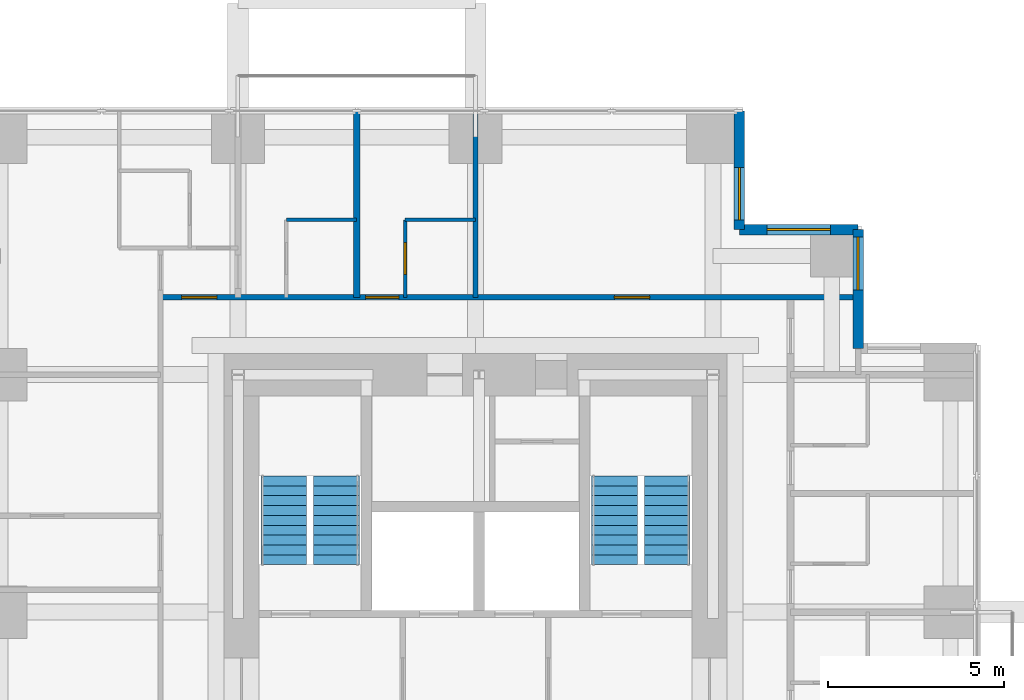
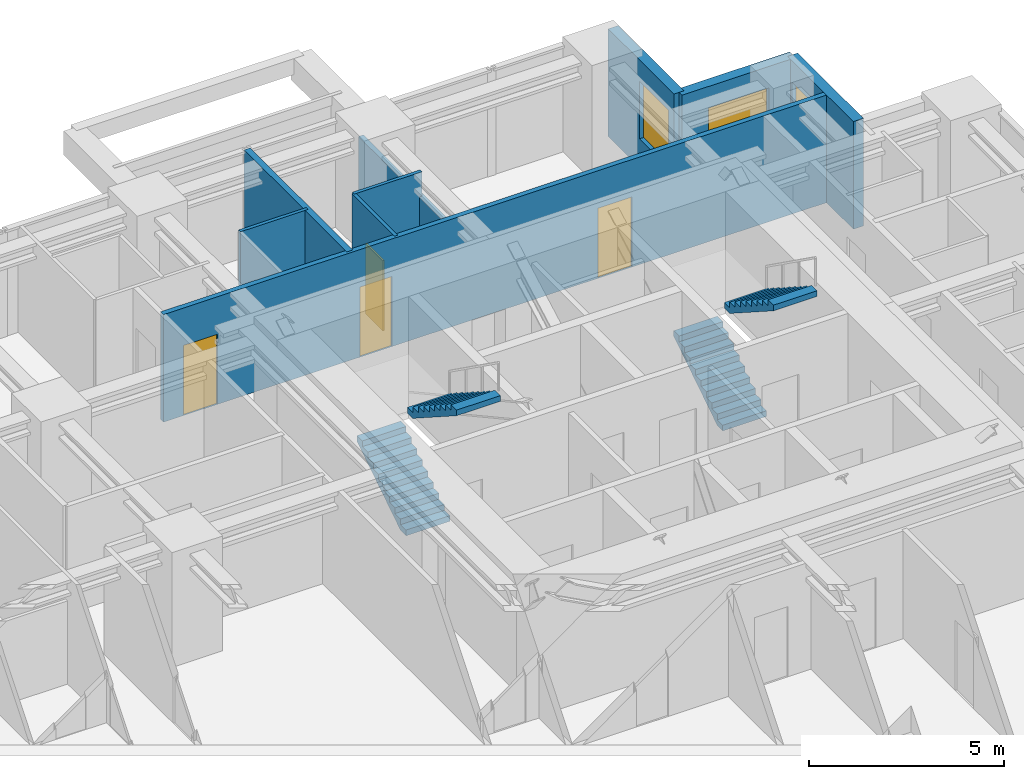
# One storey, part 9 of 10: 9 walls, 4 doors, 4 stair flights, 3 windows, 7 openings, 2 elements without a shape of their own.
"""IFC4 building model written with IfcOpenShell, lengths in metres."""

from ifc_helpers import new_model, si_unit, direction, frame, frame_2d, origin, place, context, subcontext, project, spatial, polyline, rectangle, outline, extrude, material, layer, layer_set, type_object, element, fill, aggregate, save


model = new_model("IFC4")

# Units and contexts
model_context = context("Model", 3, precision=1e-05, world=origin(), true_north=direction((0.0, 1.0)))
body_context = subcontext(model_context, "Body", "Model", "MODEL_VIEW")
ifc_project = project(units=[si_unit("LENGTHUNIT", "METRE"), si_unit("AREAUNIT", "SQUARE_METRE"), si_unit("VOLUMEUNIT", "CUBIC_METRE"), si_unit("PLANEANGLEUNIT", "RADIAN"), si_unit("MASSUNIT", "GRAM", prefix="KILO")], contexts=[model_context])

# Site, building, storey
site_placement = place(None, origin())
site = spatial("IfcSite", under=ifc_project, at=site_placement, CompositionType="ELEMENT")
building_placement = place(site_placement, origin())
building = spatial("IfcBuilding", under=site, at=building_placement, Name="Nyansa Garden Tower", CompositionType="ELEMENT")
storey_placement = place(building_placement, frame((0.0, 0.0, 167.39990234375)))
storey = spatial("IfcBuildingStorey", under=building, at=storey_placement, Name="L45", CompositionType="ELEMENT", Elevation=167.39990234375)

# Wall
ifc_material_1 = material(Name="Dense blockwork, plastered both sides, 55 dB", Category="masonry")
ifc_layer_1 = layer(ifc_material_1, 0.175048828125)
ifc_layer_set_1 = layer_set([ifc_layer_1], Name="Acoustic party wall PW175")
wall_type_1 = type_object("IfcWallType", Name="Acoustic party wall PW175", PredefinedType="PARTITIONING", material=ifc_layer_set_1)
wall_1_placement = place(storey_placement, frame((16.875, 29.199951171875, 0.0), z_axis=(0.0, 0.0, 1.0), x_axis=(0.0, 1.0, 0.0)))
element("IfcWall", 1, at=wall_1_placement, inside=storey, type_object=wall_type_1, Name="Party wall", PredefinedType="PARTITIONING", context=body_context, shape_type="SweptSolid", body=[
    extrude(rectangle(XDim=5.283935546875, YDim=0.175048828125, at=frame_2d((2.64208984375, 0.0))), origin(), (0.0, 0.0, 1.0), 3.375),
])

# Wall, openings, doors
ifc_material_2 = material(Name="Blockwork, plastered both sides", Category="masonry")
ifc_layer_2 = layer(ifc_material_2, 0.14990234375)
ifc_layer_set_2 = layer_set([ifc_layer_2], Name="Partition PW150")
wall_type_2 = type_object("IfcWallType", Name="Partition PW150", PredefinedType="PARTITIONING", material=ifc_layer_set_2)
wall_2_placement = place(storey_placement, frame((11.300048828125, 29.199951171875, 0.0), z_axis=(0.0, 0.0, 1.0), x_axis=(1.0, 0.0, 0.0)))
wall_2 = element("IfcWall", 2, at=wall_2_placement, inside=storey, type_object=wall_type_2, Name="Partition", PredefinedType="PARTITIONING", context=body_context, shape_type="SweptSolid", body=[
    extrude(rectangle(XDim=19.808837890625, YDim=0.14990234375, at=frame_2d((9.904296875, 0.0))), origin(), (0.0, 0.0, 1.0), 3.375),
])
opening_1_placement = place(wall_2_placement, frame((12.89990234375, 0.0, 0.0)))
opening_1 = element("IfcOpeningElement", 3, at=opening_1_placement, cuts=wall_2, Name="Opening D03", PredefinedType="OPENING", context=body_context, shape_type="SweptSolid", body=[
    extrude(rectangle(XDim=1.0, YDim=2.199951171875, at=frame_2d((0.5, 1.10009765625))), frame((0.0, 0.0849609375, 0.0), z_axis=(0.0, -1.0, 0.0), x_axis=(1.0, 0.0, 0.0)), (0.0, 0.0, 1.0), 0.169921875),
])
opening_2_placement = place(wall_2_placement, frame((5.824951171875, 0.0, 0.0)))
opening_2 = element("IfcOpeningElement", 4, at=opening_2_placement, cuts=wall_2, Name="Opening D14", PredefinedType="OPENING", context=body_context, shape_type="SweptSolid", body=[
    extrude(rectangle(XDim=0.949951171875, YDim=2.199951171875, at=frame_2d((0.47509765625, 1.10009765625))), frame((0.0, 0.0849609375, 0.0), z_axis=(0.0, -1.0, 0.0), x_axis=(1.0, 0.0, 0.0)), (0.0, 0.0, 1.0), 0.169921875),
])
opening_3_placement = place(wall_2_placement, frame((0.60009765625, 0.0, 0.0)))
opening_3 = element("IfcOpeningElement", 5, at=opening_3_placement, cuts=wall_2, Name="Opening D03", PredefinedType="OPENING", context=body_context, shape_type="SweptSolid", body=[
    extrude(rectangle(XDim=1.0, YDim=2.199951171875, at=frame_2d((0.5, 1.10009765625))), frame((0.0, 0.0849609375, 0.0), z_axis=(0.0, -1.0, 0.0), x_axis=(1.0, 0.0, 0.0)), (0.0, 0.0, 1.0), 0.169921875),
])
ifc_material_3 = material(Name="Timber flush door, 60 minute fire resisting", Category="wood")
door_type_1 = type_object("IfcDoorType", Name="Cluster entrance door D03 1000x2200", OperationType="SINGLE_SWING_LEFT", PredefinedType="DOOR", material=ifc_material_3)
door_1_placement = place(opening_1_placement, origin())
door_1 = element("IfcDoor", 6, at=door_1_placement, inside=storey, type_object=door_type_1, Name="Door L45-037", OperationType="SINGLE_SWING_LEFT", OverallHeight=2.199951171875, OverallWidth=1.0, PredefinedType="DOOR", context=body_context, shape_type="SweptSolid", body=[
    extrude(rectangle(XDim=1.0, YDim=2.199951171875, at=frame_2d((0.5, 1.10009765625))), frame((0.0, 0.02490234375, 0.0), z_axis=(0.0, -1.0, 0.0), x_axis=(1.0, 0.0, 0.0)), (0.0, 0.0, 1.0), 0.050048828125),
])
fill(opening_1, door_1)
door_2_placement = place(opening_3_placement, origin())
door_2 = element("IfcDoor", 7, at=door_2_placement, inside=storey, type_object=door_type_1, Name="Door L45-044", OperationType="SINGLE_SWING_LEFT", OverallHeight=2.199951171875, OverallWidth=1.0, PredefinedType="DOOR", context=body_context, shape_type="SweptSolid", body=[
    extrude(rectangle(XDim=1.0, YDim=2.199951171875, at=frame_2d((0.5, 1.10009765625))), frame((0.0, 0.02490234375, 0.0), z_axis=(0.0, -1.0, 0.0), x_axis=(1.0, 0.0, 0.0)), (0.0, 0.0, 1.0), 0.050048828125),
])
fill(opening_3, door_2)
ifc_material_4 = material(Name="Timber flush door, 60 minute fire resisting, self-closing", Category="wood")
door_type_2 = type_object("IfcDoorType", Name="Studio entrance door D14 950x2200", OperationType="SINGLE_SWING_LEFT", PredefinedType="DOOR", material=ifc_material_4)
door_3_placement = place(opening_2_placement, origin())
door_3 = element("IfcDoor", 8, at=door_3_placement, inside=storey, type_object=door_type_2, Name="Door L45-042", OperationType="SINGLE_SWING_LEFT", OverallHeight=2.199951171875, OverallWidth=0.949951171875, PredefinedType="DOOR", context=body_context, shape_type="SweptSolid", body=[
    extrude(rectangle(XDim=0.949951171875, YDim=2.199951171875, at=frame_2d((0.47509765625, 1.10009765625))), frame((0.0, 0.02490234375, 0.0), z_axis=(0.0, -1.0, 0.0), x_axis=(1.0, 0.0, 0.0)), (0.0, 0.0, 1.0), 0.050048828125),
])
fill(opening_2, door_3)

# Wall
wall_3_placement = place(storey_placement, frame((20.25, 29.199951171875, 0.0), z_axis=(0.0, 0.0, 1.0), x_axis=(0.0, 1.0, 0.0)))
element("IfcWall", 9, at=wall_3_placement, inside=storey, type_object=wall_type_2, Name="Partition", PredefinedType="PARTITIONING", context=body_context, shape_type="SweptSolid", body=[
    extrude(rectangle(XDim=5.283935546875, YDim=0.14990234375, at=frame_2d((2.64208984375, 0.0))), origin(), (0.0, 0.0, 1.0), 2.610107421875),
])

# Wall, opening, window
ifc_material_5 = material(Name="Turquoise glazed tile on concrete blockwork", Category="masonry")
ifc_layer_3 = layer(ifc_material_5, 0.300048828125)
ifc_layer_set_3 = layer_set([ifc_layer_3], Name="Tiled corner wall TW300")
wall_type_3 = type_object("IfcWallType", Name="Tiled corner wall TW300", PredefinedType="SOLIDWALL", material=ifc_layer_set_3)
wall_4_placement = place(storey_placement, frame((31.125, 27.75, 0.0), z_axis=(0.0, 0.0, 1.0), x_axis=(0.0, 1.0, 0.0)))
wall_4 = element("IfcWall", 10, at=wall_4_placement, inside=storey, type_object=wall_type_3, Name="Tiled corner wall L45", PredefinedType="SOLIDWALL", context=body_context, shape_type="SweptSolid", body=[
    extrude(rectangle(XDim=3.375, YDim=0.300048828125, at=frame_2d((1.6875, 0.0))), origin(), (0.0, 0.0, 1.0), 3.375),
])
opening_4_placement = place(wall_4_placement, frame((1.66259765625, 0.0, 0.89990234375)))
opening_4 = element("IfcOpeningElement", 11, at=opening_4_placement, cuts=wall_4, Name="Opening W1", PredefinedType="OPENING", context=body_context, shape_type="SweptSolid", body=[
    extrude(rectangle(XDim=1.5, YDim=1.800048828125, at=frame_2d((0.75, 0.89990234375))), frame((0.0, 0.159912109375, 0.0), z_axis=(0.0, -1.0, 0.0), x_axis=(1.0, 0.0, 0.0)), (0.0, 0.0, 1.0), 0.320068359375),
])
ifc_material_6 = material(Name="Black aluminium frame, dark tinted double glazing", Category="aluminium")
window_type_1 = type_object("IfcWindowType", Name="Window W1 1500x1800", PartitioningType="SINGLE_PANEL", PredefinedType="WINDOW", material=ifc_material_6)
window_1_placement = place(opening_4_placement, origin())
window_1 = element("IfcWindow", 12, at=window_1_placement, inside=storey, type_object=window_type_1, Name="Corner window L45", OverallHeight=1.800048828125, OverallWidth=1.5, PartitioningType="SINGLE_PANEL", PredefinedType="WINDOW", context=body_context, shape_type="SweptSolid", body=[
    extrude(rectangle(XDim=1.5, YDim=1.800048828125, at=frame_2d((0.75, 0.89990234375))), frame((0.0, 0.030029296875, 0.0), z_axis=(0.0, -1.0, 0.0), x_axis=(1.0, 0.0, 0.0)), (0.0, 0.0, 1.0), 0.06005859375),
])
fill(opening_4, window_1)

wall_5_placement = place(storey_placement, frame((31.125, 31.125, 0.0), z_axis=(0.0, 0.0, 1.0), x_axis=(-1.0, 0.0, 0.0)))
wall_5 = element("IfcWall", 13, at=wall_5_placement, inside=storey, type_object=wall_type_3, Name="Tiled corner wall L45", PredefinedType="SOLIDWALL", context=body_context, shape_type="SweptSolid", body=[
    extrude(rectangle(XDim=3.375, YDim=0.300048828125, at=frame_2d((1.6875, 0.0))), origin(), (0.0, 0.0, 1.0), 3.375),
])
opening_5_placement = place(wall_5_placement, frame((0.78759765625, 0.0, 0.60009765625)))
opening_5 = element("IfcOpeningElement", 14, at=opening_5_placement, cuts=wall_5, Name="Opening W2", PredefinedType="OPENING", context=body_context, shape_type="SweptSolid", body=[
    extrude(rectangle(XDim=1.800048828125, YDim=2.10009765625, at=frame_2d((0.89990234375, 1.050048828125))), frame((0.0, 0.159912109375, 0.0), z_axis=(0.0, -1.0, 0.0), x_axis=(1.0, 0.0, 0.0)), (0.0, 0.0, 1.0), 0.320068359375),
])
ifc_material_7 = material(Name="Black aluminium frame, dark tinted double glazing", Category="aluminium")
window_type_2 = type_object("IfcWindowType", Name="Window W2 1800x2100", PartitioningType="SINGLE_PANEL", PredefinedType="WINDOW", material=ifc_material_7)
window_2_placement = place(opening_5_placement, origin())
window_2 = element("IfcWindow", 15, at=window_2_placement, inside=storey, type_object=window_type_2, Name="Corner window L45", OverallHeight=2.10009765625, OverallWidth=1.800048828125, PartitioningType="SINGLE_PANEL", PredefinedType="WINDOW", context=body_context, shape_type="SweptSolid", body=[
    extrude(rectangle(XDim=1.800048828125, YDim=2.10009765625, at=frame_2d((0.89990234375, 1.050048828125))), frame((0.0, 0.030029296875, 0.0), z_axis=(0.0, -1.0, 0.0), x_axis=(1.0, 0.0, 0.0)), (0.0, 0.0, 1.0), 0.06005859375),
])
fill(opening_5, window_2)

wall_6_placement = place(storey_placement, frame((27.75, 31.125, 0.0), z_axis=(0.0, 0.0, 1.0), x_axis=(0.0, 1.0, 0.0)))
wall_6 = element("IfcWall", 16, at=wall_6_placement, inside=storey, type_object=wall_type_3, Name="Tiled corner wall L45", PredefinedType="SOLIDWALL", context=body_context, shape_type="SweptSolid", body=[
    extrude(rectangle(XDim=3.375, YDim=0.300048828125, at=frame_2d((1.6875, 0.0))), origin(), (0.0, 0.0, 1.0), 3.375),
])
opening_6_placement = place(wall_6_placement, frame((0.267578125, 0.0, 0.89990234375)))
opening_6 = element("IfcOpeningElement", 17, at=opening_6_placement, cuts=wall_6, Name="Opening W1", PredefinedType="OPENING", context=body_context, shape_type="SweptSolid", body=[
    extrude(rectangle(XDim=1.5, YDim=1.800048828125, at=frame_2d((0.75, 0.89990234375))), frame((0.0, 0.159912109375, 0.0), z_axis=(0.0, -1.0, 0.0), x_axis=(1.0, 0.0, 0.0)), (0.0, 0.0, 1.0), 0.320068359375),
])
window_3_placement = place(opening_6_placement, origin())
window_3 = element("IfcWindow", 18, at=window_3_placement, inside=storey, type_object=window_type_1, Name="Corner window L45", OverallHeight=1.800048828125, OverallWidth=1.5, PartitioningType="SINGLE_PANEL", PredefinedType="WINDOW", context=body_context, shape_type="SweptSolid", body=[
    extrude(rectangle(XDim=1.5, YDim=1.800048828125, at=frame_2d((0.75, 0.89990234375))), frame((0.0, 0.030029296875, 0.0), z_axis=(0.0, -1.0, 0.0), x_axis=(1.0, 0.0, 0.0)), (0.0, 0.0, 1.0), 0.06005859375),
])
fill(opening_6, window_3)

# Wall
ifc_material_8 = material(Name="Moisture resistant board on steel studs, tiled", Category="steel")
ifc_layer_4 = layer(ifc_material_8, 0.10009765625)
ifc_layer_set_4 = layer_set([ifc_layer_4], Name="Wet wall PW100")
wall_type_4 = type_object("IfcWallType", Name="Wet wall PW100", PredefinedType="PARTITIONING", material=ifc_layer_set_4)
wall_7_placement = place(storey_placement, frame((14.875, 31.39990234375, 0.0), z_axis=(0.0, 0.0, 1.0), x_axis=(1.0, 0.0, 0.0)))
element("IfcWall", 19, at=wall_7_placement, inside=storey, type_object=wall_type_4, Name="Wet wall", PredefinedType="PARTITIONING", context=body_context, shape_type="SweptSolid", body=[
    extrude(rectangle(XDim=2.0, YDim=0.10009765625, at=frame_2d((1.0, 0.0))), origin(), (0.0, 0.0, 1.0), 3.375),
])

# Wall, opening, door
wall_8_placement = place(storey_placement, frame((18.25, 29.199951171875, 0.0), z_axis=(0.0, 0.0, 1.0), x_axis=(0.0, 1.0, 0.0)))
wall_8 = element("IfcWall", 20, at=wall_8_placement, inside=storey, type_object=wall_type_4, Name="Wet wall", PredefinedType="PARTITIONING", context=body_context, shape_type="SweptSolid", body=[
    extrude(rectangle(XDim=2.199951171875, YDim=0.10009765625, at=frame_2d((1.10009765625, 0.0))), origin(), (0.0, 0.0, 1.0), 3.375),
])
opening_7_placement = place(wall_8_placement, frame((0.64990234375, 0.0, 0.0)))
opening_7 = element("IfcOpeningElement", 21, at=opening_7_placement, cuts=wall_8, Name="Opening D02", PredefinedType="OPENING", context=body_context, shape_type="SweptSolid", body=[
    extrude(rectangle(XDim=0.89990234375, YDim=2.199951171875, at=frame_2d((0.449951171875, 1.10009765625))), frame((0.0, 0.06005859375, 0.0), z_axis=(0.0, -1.0, 0.0), x_axis=(1.0, 0.0, 0.0)), (0.0, 0.0, 1.0), 0.1201171875),
])
ifc_material_9 = material(Name="Timber flush door", Category="wood")
door_type_3 = type_object("IfcDoorType", Name="En-suite door D02 900x2200", OperationType="SINGLE_SWING_RIGHT", PredefinedType="DOOR", material=ifc_material_9)
door_4_placement = place(opening_7_placement, origin())
door_4 = element("IfcDoor", 22, at=door_4_placement, inside=storey, type_object=door_type_3, Name="Door L45-043", OperationType="SINGLE_SWING_RIGHT", OverallHeight=2.199951171875, OverallWidth=0.89990234375, PredefinedType="DOOR", context=body_context, shape_type="SweptSolid", body=[
    extrude(rectangle(XDim=0.89990234375, YDim=2.199951171875, at=frame_2d((0.449951171875, 1.10009765625))), frame((0.0, 0.02490234375, 0.0), z_axis=(0.0, -1.0, 0.0), x_axis=(1.0, 0.0, 0.0)), (0.0, 0.0, 1.0), 0.050048828125),
])
fill(opening_7, door_4)

# Wall
wall_9_placement = place(storey_placement, frame((18.25, 31.39990234375, 0.0), z_axis=(0.0, 0.0, 1.0), x_axis=(1.0, 0.0, 0.0)))
element("IfcWall", 23, at=wall_9_placement, inside=storey, type_object=wall_type_4, Name="Wet wall", PredefinedType="PARTITIONING", context=body_context, shape_type="SweptSolid", body=[
    extrude(rectangle(XDim=2.0, YDim=0.10009765625, at=frame_2d((1.0, 0.0))), origin(), (0.0, 0.0, 1.0), 3.375),
])

# Stair, stair flights
ifc_material_10 = material(Name="Precast concrete C40/50", Category="concrete")
stair_type_1 = type_object("IfcStairType", Name="Stair S1 180x280", PredefinedType="HALF_TURN_STAIR", material=ifc_material_10)
stair_1_placement = place(storey_placement, origin())
stair_1 = element("IfcStair", 24, at=stair_1_placement, inside=storey, type_object=stair_type_1, Name="Stair S1 L45", PredefinedType="HALF_TURN_STAIR")
ifc_material_11 = material(Name="Precast concrete C40/50", Category="concrete")
stair_flight_type_1 = type_object("IfcStairFlightType", Name="Stair flight S1 180x280x10", PredefinedType="STRAIGHT", material=ifc_material_11)
stair_flight_1_placement = place(storey_placement, frame((14.800048828125, 21.60009765625, 0.0), z_axis=(0.0, 0.0, 1.0), x_axis=(0.0, 1.0, 0.0)))
stair_flight_1 = element("IfcStairFlight", 25, at=stair_flight_1_placement, type_object=stair_flight_type_1, Name="S1 flight 1", NumberOfRisers=10, NumberOfTreads=9, PredefinedType="STRAIGHT", RiserHeight=0.18, TreadLength=0.28, context=body_context, shape_type="SweptSolid", body=[
    extrude(outline(polyline([(0.0, 0.0), (0.0, 0.179931640625), (0.280029296875, 0.179931640625), (0.280029296875, 0.360107421875), (0.56005859375, 0.360107421875), (0.56005859375, 0.5400390625), (0.840087890625, 0.5400390625), (0.840087890625, 0.719970703125), (1.1201171875, 0.719970703125), (1.1201171875, 0.89990234375), (1.39990234375, 0.89990234375), (1.39990234375, 1.080078125), (1.679931640625, 1.080078125), (1.679931640625, 1.260009765625), (1.9599609375, 1.260009765625), (1.9599609375, 1.43994140625), (2.239990234375, 1.43994140625), (2.239990234375, 1.6201171875), (2.52001953125, 1.6201171875), (2.52001953125, 1.800048828125), (2.52001953125, 1.44189453125), (0.277099609375, 0.0), (0.0, 0.0)])), frame((0.0, 0.64990234375, 0.0), z_axis=(0.0, -1.0, 0.0), x_axis=(1.0, 0.0, 0.0)), (0.0, 0.0, 1.0), 1.300048828125),
])
stair_flight_2_placement = place(storey_placement, frame((16.300048828125, 24.1201171875, 1.800048828125), z_axis=(0.0, 0.0, 1.0), x_axis=(0.0, -1.0, 0.0)))
stair_flight_2 = element("IfcStairFlight", 26, at=stair_flight_2_placement, type_object=stair_flight_type_1, Name="S1 flight 2", NumberOfRisers=10, NumberOfTreads=9, PredefinedType="STRAIGHT", RiserHeight=0.18, TreadLength=0.28, context=body_context, shape_type="SweptSolid", body=[
    extrude(outline(polyline([(0.0, 0.0), (0.0, 0.179931640625), (0.280029296875, 0.179931640625), (0.280029296875, 0.360107421875), (0.56005859375, 0.360107421875), (0.56005859375, 0.5400390625), (0.840087890625, 0.5400390625), (0.840087890625, 0.719970703125), (1.1201171875, 0.719970703125), (1.1201171875, 0.89990234375), (1.39990234375, 0.89990234375), (1.39990234375, 1.080078125), (1.679931640625, 1.080078125), (1.679931640625, 1.260009765625), (1.9599609375, 1.260009765625), (1.9599609375, 1.43994140625), (2.239990234375, 1.43994140625), (2.239990234375, 1.6201171875), (2.52001953125, 1.6201171875), (2.52001953125, 1.800048828125), (2.52001953125, 1.44189453125), (0.277099609375, 0.0), (0.0, 0.0)])), frame((0.0, 0.64990234375, 0.0), z_axis=(0.0, -1.0, 0.0), x_axis=(1.0, 0.0, 0.0)), (0.0, 0.0, 1.0), 1.300048828125),
])
aggregate(stair_1, [stair_flight_1, stair_flight_2])

ifc_material_12 = material(Name="Precast concrete C40/50", Category="concrete")
stair_type_2 = type_object("IfcStairType", Name="Stair S2 180x280", PredefinedType="HALF_TURN_STAIR", material=ifc_material_12)
stair_2_placement = place(storey_placement, origin())
stair_2 = element("IfcStair", 27, at=stair_2_placement, inside=storey, type_object=stair_type_2, Name="Stair S2 L45", PredefinedType="HALF_TURN_STAIR")
ifc_material_13 = material(Name="Precast concrete C40/50", Category="concrete")
stair_flight_type_2 = type_object("IfcStairFlightType", Name="Stair flight S2 180x280x10", PredefinedType="STRAIGHT", material=ifc_material_13)
stair_flight_3_placement = place(storey_placement, frame((24.199951171875, 21.60009765625, 0.0), z_axis=(0.0, 0.0, 1.0), x_axis=(0.0, 1.0, 0.0)))
stair_flight_3 = element("IfcStairFlight", 28, at=stair_flight_3_placement, type_object=stair_flight_type_2, Name="S2 flight 1", NumberOfRisers=10, NumberOfTreads=9, PredefinedType="STRAIGHT", RiserHeight=0.18, TreadLength=0.28, context=body_context, shape_type="SweptSolid", body=[
    extrude(outline(polyline([(0.0, 0.0), (0.0, 0.179931640625), (0.280029296875, 0.179931640625), (0.280029296875, 0.360107421875), (0.56005859375, 0.360107421875), (0.56005859375, 0.5400390625), (0.840087890625, 0.5400390625), (0.840087890625, 0.719970703125), (1.1201171875, 0.719970703125), (1.1201171875, 0.89990234375), (1.39990234375, 0.89990234375), (1.39990234375, 1.080078125), (1.679931640625, 1.080078125), (1.679931640625, 1.260009765625), (1.9599609375, 1.260009765625), (1.9599609375, 1.43994140625), (2.239990234375, 1.43994140625), (2.239990234375, 1.6201171875), (2.52001953125, 1.6201171875), (2.52001953125, 1.800048828125), (2.52001953125, 1.44189453125), (0.277099609375, 0.0), (0.0, 0.0)])), frame((0.0, 0.64990234375, 0.0), z_axis=(0.0, -1.0, 0.0), x_axis=(1.0, 0.0, 0.0)), (0.0, 0.0, 1.0), 1.300048828125),
])
stair_flight_4_placement = place(storey_placement, frame((25.699951171875, 24.1201171875, 1.800048828125), z_axis=(0.0, 0.0, 1.0), x_axis=(0.0, -1.0, 0.0)))
stair_flight_4 = element("IfcStairFlight", 29, at=stair_flight_4_placement, type_object=stair_flight_type_2, Name="S2 flight 2", NumberOfRisers=10, NumberOfTreads=9, PredefinedType="STRAIGHT", RiserHeight=0.18, TreadLength=0.28, context=body_context, shape_type="SweptSolid", body=[
    extrude(outline(polyline([(0.0, 0.0), (0.0, 0.179931640625), (0.280029296875, 0.179931640625), (0.280029296875, 0.360107421875), (0.56005859375, 0.360107421875), (0.56005859375, 0.5400390625), (0.840087890625, 0.5400390625), (0.840087890625, 0.719970703125), (1.1201171875, 0.719970703125), (1.1201171875, 0.89990234375), (1.39990234375, 0.89990234375), (1.39990234375, 1.080078125), (1.679931640625, 1.080078125), (1.679931640625, 1.260009765625), (1.9599609375, 1.260009765625), (1.9599609375, 1.43994140625), (2.239990234375, 1.43994140625), (2.239990234375, 1.6201171875), (2.52001953125, 1.6201171875), (2.52001953125, 1.800048828125), (2.52001953125, 1.44189453125), (0.277099609375, 0.0), (0.0, 0.0)])), frame((0.0, 0.64990234375, 0.0), z_axis=(0.0, -1.0, 0.0), x_axis=(1.0, 0.0, 0.0)), (0.0, 0.0, 1.0), 1.300048828125),
])
aggregate(stair_2, [stair_flight_3, stair_flight_4])

save(model, "model.ifc")
